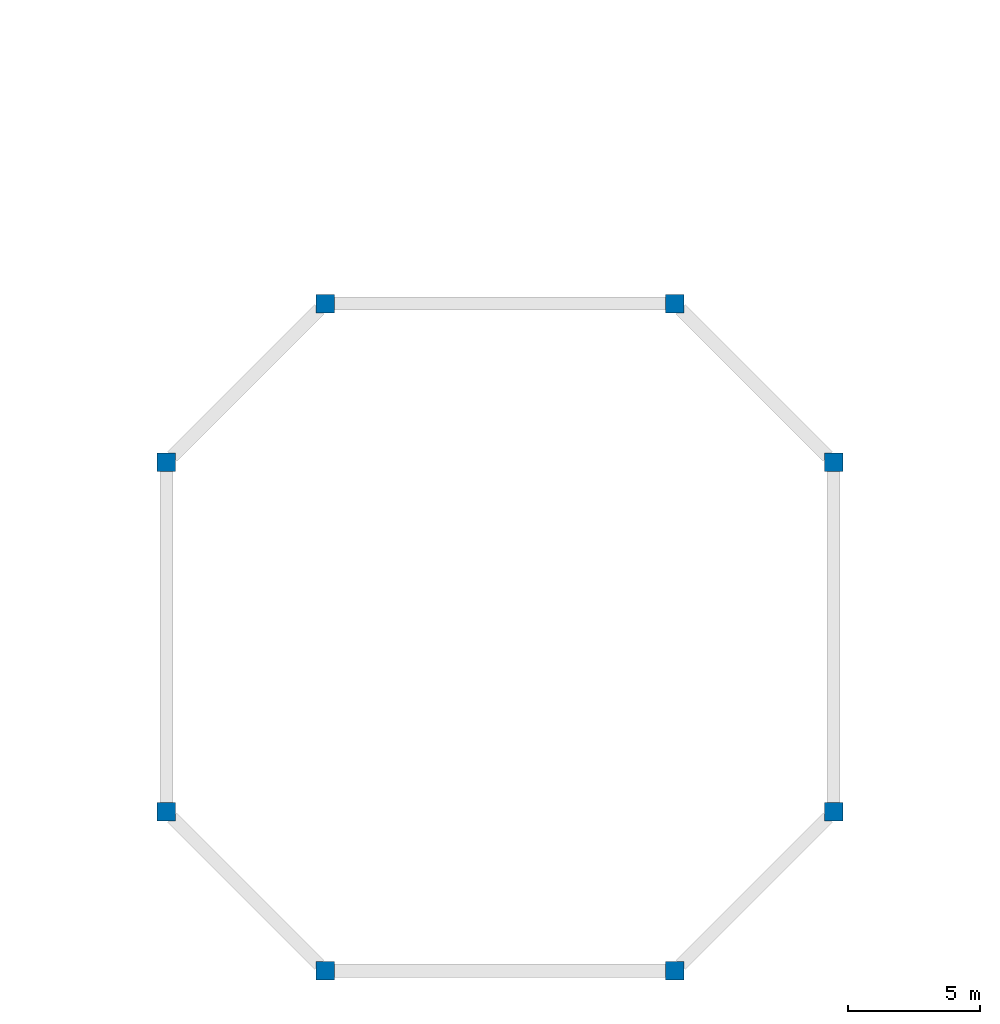
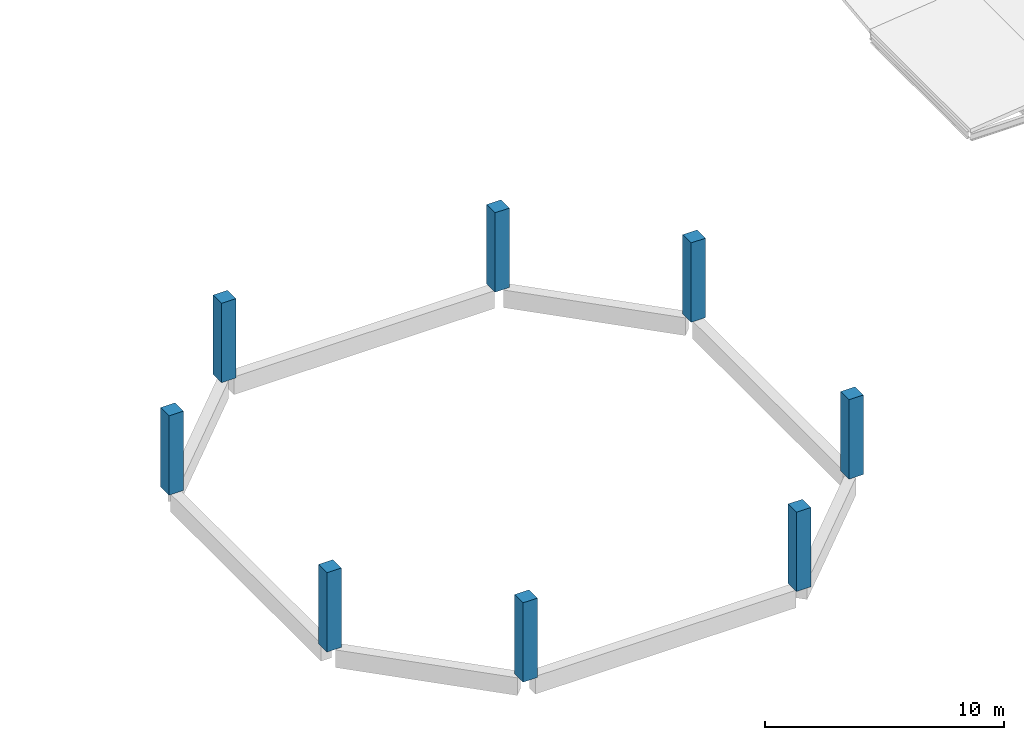
# One storey, part 1 of 103: 8 columns.
"""IFC4 building model written with IfcOpenShell, lengths in metres."""

import ifcopenshell
import ifcopenshell.guid

model = None  # the IFC model being written
_history = None  # IfcOwnerHistory: only IFC2X3 demands one
_inside = {}  # id of a spatial element -> (the spatial element, [elements in it])
_under = {}  # id of a project, library or spatial element -> (it, [spatial elements below it])
_declared = {}  # id of a project -> (the project, [libraries it declares])
_typed = {}  # id of a type object -> (the type object, [elements of that type])
_made_of = {}  # id of a material, layer set ... -> (it, [elements and type objects made of it])


def new_model(schema):
    """Start an empty IFC model of exactly this schema.

    Asked for "IFC4X3", IfcOpenShell would pick the latest addendum, in which some entities
    have other attributes; the version numbers below select the first issue.
    IFC2X3 requires an IfcOwnerHistory on every rooted entity: one is made here for all.
    """
    global model, _history
    if schema == "IFC4X3":
        model = ifcopenshell.file(schema_version=(4, 3, 0, 0))
    else:
        model = ifcopenshell.file(schema=schema)
    _inside.clear()
    _under.clear()
    _declared.clear()
    _typed.clear()
    _made_of.clear()
    _history = None
    if model.schema == "IFC2X3":
        org = make("IfcOrganization", Name="unknown")
        user = make(
            "IfcPersonAndOrganization",
            ThePerson=make("IfcPerson", FamilyName="unknown"),
            TheOrganization=org,
        )
        app = make(
            "IfcApplication",
            ApplicationDeveloper=org,
            Version="unknown",
            ApplicationFullName="unknown",
            ApplicationIdentifier="unknown",
        )
        _history = make(
            "IfcOwnerHistory",
            OwningUser=user,
            OwningApplication=app,
            ChangeAction="ADDED",
            CreationDate=0,
        )
    return model


def make(cls, **values):
    """One entity of the class cls with the attributes given. An attribute that is None is left unset."""
    return model.create_entity(
        cls, **{name: value for name, value in values.items() if value is not None}
    )


def rooted(cls, **values):
    """An entity with a GlobalId (a new one), such as an element, a storey or a relation."""
    return make(cls, GlobalId=ifcopenshell.guid.new(), OwnerHistory=_history, **values)


def si_unit(unit_type, name, prefix=None):
    """IfcSIUnit, for example si_unit("LENGTHUNIT", "METRE", prefix="MILLI")."""
    return make("IfcSIUnit", UnitType=unit_type, Prefix=prefix, Name=name)


def assignment(units):
    """IfcUnitAssignment: the units of a project."""
    return None if units is None else make("IfcUnitAssignment", Units=units)


def point(xyz):
    """IfcCartesianPoint."""
    return None if xyz is None else make("IfcCartesianPoint", Coordinates=xyz)


def direction(xyz):
    """IfcDirection."""
    return None if xyz is None else make("IfcDirection", DirectionRatios=xyz)


def frame(location, z_axis=None, x_axis=None):
    """IfcAxis2Placement3D, a coordinate frame: its origin and axes. An axis left out is left unset."""
    return make(
        "IfcAxis2Placement3D",
        Location=point(location),
        Axis=direction(z_axis),
        RefDirection=direction(x_axis),
    )


def frame_2d(location, x_axis=None):
    """IfcAxis2Placement2D, a coordinate frame in the plane: its origin and x axis."""
    return make(
        "IfcAxis2Placement2D", Location=point(location), RefDirection=direction(x_axis)
    )


def origin():
    """The frame at (0, 0, 0) with its axes left unset."""
    return frame((0.0, 0.0, 0.0))


def origin_2d():
    """The frame at (0, 0) in the plane with its x axis left unset."""
    return frame_2d((0.0, 0.0))


def place(relative_to, where):
    """IfcLocalPlacement: puts the frame where relative to a parent placement (None: the world)."""
    return make(
        "IfcLocalPlacement", PlacementRelTo=relative_to, RelativePlacement=where
    )


def context(
    kind, dimensions, precision=None, world=None, true_north=None, identifier=None
):
    """IfcGeometricRepresentationContext, for example the 3D "Model" context."""
    return make(
        "IfcGeometricRepresentationContext",
        ContextIdentifier=identifier,
        ContextType=kind,
        CoordinateSpaceDimension=dimensions,
        Precision=precision,
        WorldCoordinateSystem=world,
        TrueNorth=true_north,
    )


def subcontext(parent, identifier, kind, view, scale=None):
    """IfcGeometricRepresentationSubContext, for example "Body" below "Model"."""
    return make(
        "IfcGeometricRepresentationSubContext",
        ContextIdentifier=identifier,
        ContextType=kind,
        ParentContext=parent,
        TargetScale=scale,
        TargetView=view,
    )


def project(units=None, contexts=None):
    """IfcProject with its units and contexts."""
    return rooted(
        "IfcProject",
        Name="project",
        RepresentationContexts=contexts,
        UnitsInContext=assignment(units),
    )


def spatial(cls, under=None, at=None, **own):
    """A site, building, storey or space (cls), placed at a placement, below another one or the project."""
    s = rooted(cls, ObjectPlacement=at, **own)
    if under is not None:
        _under.setdefault(under.id(), (under, []))[1].append(s)
    return s


def profile(cls, at=None, kind="AREA", **sizes):
    """A parametric profile (cls). Its sizes go by their IFC names, for example OverallWidth=200.0."""
    return make(cls, ProfileType=kind, Position=at, **sizes)


def rectangle(**sizes):
    """IfcRectangleProfileDef."""
    return profile("IfcRectangleProfileDef", **sizes)


def extrude(swept, where, along, depth):
    """IfcExtrudedAreaSolid: the profile swept, set in the frame where, extruded along a direction by depth."""
    return make(
        "IfcExtrudedAreaSolid",
        SweptArea=swept,
        Position=where,
        ExtrudedDirection=direction(along),
        Depth=depth,
    )


def shape(context_of_items, identifier, shape_type, items):
    """IfcShapeRepresentation: the items that make up one representation, for example the "Body"."""
    return make(
        "IfcShapeRepresentation",
        ContextOfItems=context_of_items,
        RepresentationIdentifier=identifier,
        RepresentationType=shape_type,
        Items=items,
    )


def material(Name=None, Category=None):
    """IfcMaterial."""
    return make("IfcMaterial", Name=Name, Category=Category)


def material_profile(
    of_material, cross_section, Name=None, Category=None, Priority=None
):
    """IfcMaterialProfile: a cross section and its material."""
    return make(
        "IfcMaterialProfile",
        Name=Name,
        Material=of_material,
        Profile=cross_section,
        Priority=Priority,
        Category=Category,
    )


def profile_set(profiles, Name=None, composite=None):
    """IfcMaterialProfileSet."""
    return make(
        "IfcMaterialProfileSet",
        Name=Name,
        MaterialProfiles=profiles,
        CompositeProfile=composite,
    )


def made_of(thing, what):
    """Note that an element or type object is made of a material, layer set ...; save() writes the relation."""
    if what is not None:
        _made_of.setdefault(what.id(), (what, []))[1].append(thing)
    return thing


def type_object(cls, material=None, **own):
    """A type object (cls), such as IfcWallType, which elements share."""
    return made_of(rooted(cls, **own), material)


def element(
    cls,
    number,
    at=None,
    inside=None,
    cuts=None,
    type_object=None,
    material=None,
    context=None,
    identifier="Body",
    shape_type=None,
    held_by="IfcProductDefinitionShape",
    body=None,
    shapes=None,
    **own,
):
    """One element of the class cls, such as IfcWall. Its Tag is "e" and its number.

    at: its placement. inside: the storey or other place that contains it. cuts: it is an
    opening in that element (IfcRelVoidsElement). A single representation is given by context,
    identifier, shape_type and body (its items); several are given by shapes. held_by: the class
    of the entity that holds the representations. save() writes the other relations.
    """
    e = rooted(cls, Tag="e%d" % number, ObjectPlacement=at, **own)
    if body is not None:
        shapes = [shape(context, identifier, shape_type, body)]
    if shapes is not None:
        e.Representation = make(held_by, Representations=shapes)
    if inside is not None:
        _inside.setdefault(inside.id(), (inside, []))[1].append(e)
    if cuts is not None:
        rooted(
            "IfcRelVoidsElement", RelatingBuildingElement=cuts, RelatedOpeningElement=e
        )
    if type_object is not None:
        _typed.setdefault(type_object.id(), (type_object, []))[1].append(e)
    return made_of(e, material)


def aggregate(whole, parts):
    """IfcRelAggregates: a whole, such as a stair, and the parts it consists of."""
    return rooted("IfcRelAggregates", RelatingObject=whole, RelatedObjects=parts)


def save(model, path):
    """Write the relations noted so far, then the file.

    IfcRelAggregates (storeys below a building ...), IfcRelContainedInSpatialStructure (elements
    in a storey), IfcRelDefinesByType, IfcRelAssociatesMaterial and IfcRelDeclares: one each for
    every whole, place, type object, material and project.
    """
    for whole, parts in _under.values():
        aggregate(whole, parts)
    for where, things in _inside.values():
        rooted(
            "IfcRelContainedInSpatialStructure",
            RelatedElements=things,
            RelatingStructure=where,
        )
    for kind, things in _typed.values():
        rooted("IfcRelDefinesByType", RelatedObjects=things, RelatingType=kind)
    for what, things in _made_of.values():
        rooted("IfcRelAssociatesMaterial", RelatedObjects=things, RelatingMaterial=what)
    for by, libraries in _declared.values():
        rooted("IfcRelDeclares", RelatingContext=by, RelatedDefinitions=libraries)
    model.write(path)


model = new_model("IFC4")

# Units and contexts
model_context = context("Model", 3, precision=1e-05, world=origin(), true_north=direction((0.0, 1.0)))
body_context = subcontext(model_context, "Body", "Model", "MODEL_VIEW")
ifc_project = project(units=[si_unit("LENGTHUNIT", "METRE"), si_unit("AREAUNIT", "SQUARE_METRE"), si_unit("VOLUMEUNIT", "CUBIC_METRE"), si_unit("PLANEANGLEUNIT", "RADIAN"), si_unit("MASSUNIT", "GRAM", prefix="KILO")], contexts=[model_context])

# Site, building, storey
site_placement = place(None, origin())
site = spatial("IfcSite", under=ifc_project, at=site_placement, CompositionType="ELEMENT")
building_placement = place(site_placement, origin())
building = spatial("IfcBuilding", under=site, at=building_placement, Name="Mersafa Astral City Hall", CompositionType="ELEMENT")
storey_placement = place(building_placement, frame((0.0, 0.0, 18.0)))
storey = spatial("IfcBuildingStorey", under=building, at=storey_placement, Name="L04", CompositionType="ELEMENT", Elevation=18.0)

# Columns
ifc_material = material(Name="Concrete C40/50", Category="concrete")
ifc_material_profile = material_profile(ifc_material, rectangle(XDim=0.699951171875, YDim=0.699951171875, at=origin_2d()), Name="RC 700x700")
ifc_profile_set = profile_set([ifc_material_profile], Name="Concrete C40/50")
column_type = type_object("IfcColumnType", Name="STR-COL-RC700", PredefinedType="COLUMN", material=ifc_profile_set)
for number, where, z_axis, x_axis, name in (
    (1, (73.199951171875, 0.0, 0.0), (0.0, 0.0, 1.0), (1.0, 0.0, 0.0), "L04 Chamber perimeter column OCT-1"),
    (2, (86.39990234375, 0.0, 0.0), (0.0, 0.0, 1.0), (1.0, 0.0, 0.0), "L04 Chamber perimeter column OCT-2"),
    (3, (92.39990234375, 6.0, 0.0), (0.0, 0.0, 1.0), (1.0, 0.0, 0.0), "L04 Chamber perimeter column OCT-3"),
    (4, (92.39990234375, 19.199951171875, 0.0), (0.0, 0.0, 1.0), (1.0, 0.0, 0.0), "L04 Chamber perimeter column OCT-4"),
    (5, (86.39990234375, 25.199951171875, 0.0), (0.0, 0.0, 1.0), (1.0, 0.0, 0.0), "L04 Chamber perimeter column OCT-5"),
    (6, (73.199951171875, 25.199951171875, 0.0), (0.0, 0.0, 1.0), (1.0, 0.0, 0.0), "L04 Chamber perimeter column OCT-6"),
    (7, (67.199951171875, 19.199951171875, 0.0), (0.0, 0.0, 1.0), (1.0, 0.0, 0.0), "L04 Chamber perimeter column OCT-7"),
    (8, (67.199951171875, 6.0, 0.0), (0.0, 0.0, 1.0), (1.0, 0.0, 0.0), "L04 Chamber perimeter column OCT-8"),
):
    element("IfcColumn", number, at=place(storey_placement, frame(where, z_axis=z_axis, x_axis=x_axis)), inside=storey, type_object=column_type, Name=name, PredefinedType="COLUMN", context=body_context, shape_type="SweptSolid", body=[
        extrude(rectangle(XDim=0.699951171875, YDim=0.699951171875, at=origin_2d()), origin(), (0.0, 0.0, 1.0), 4.050048828125),
    ])

save(model, "model.ifc")
